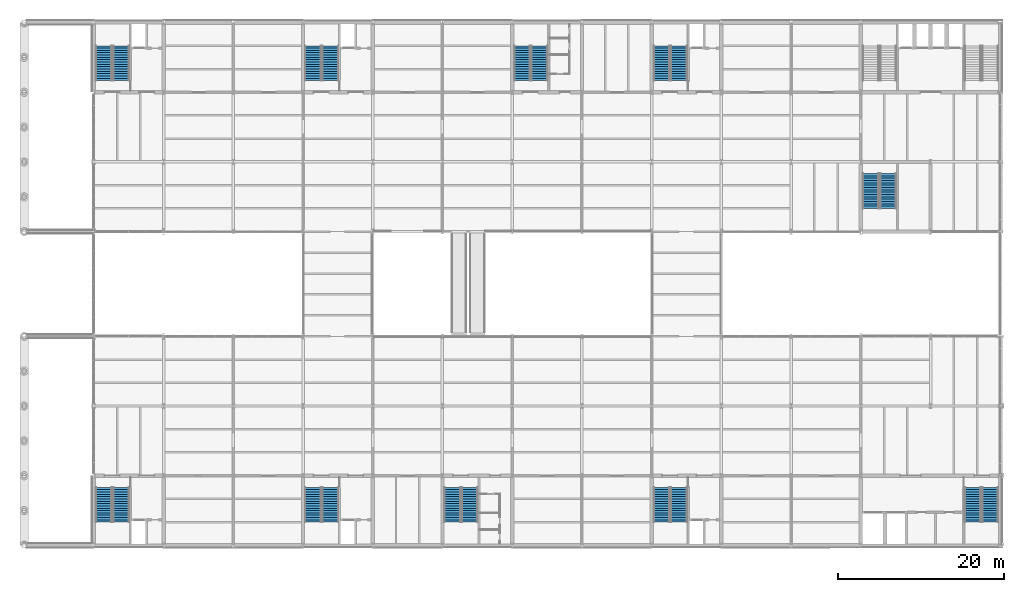
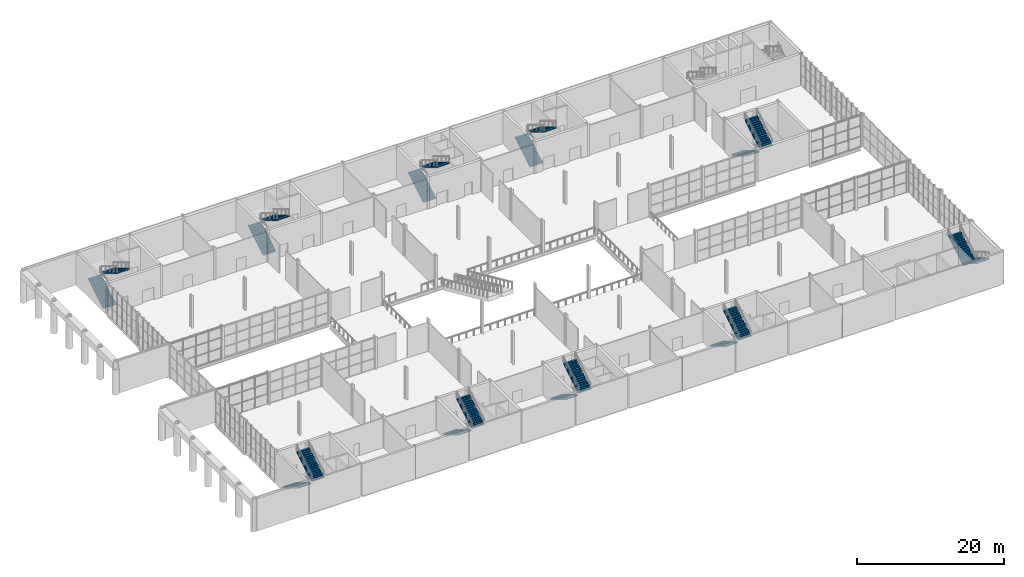
# One storey, part 45 of 64: 20 stair flights, 10 elements without a shape of their own.
"""IFC4 building model written with IfcOpenShell, lengths in metres."""

from ifc_helpers import new_model, si_unit, direction, frame, origin, place, context, subcontext, project, spatial, polyline, outline, extrude, material, type_object, element, aggregate, save


model = new_model("IFC4")

# Units and contexts
model_context = context("Model", 3, precision=1e-05, world=origin(), true_north=direction((0.0, 1.0)))
body_context = subcontext(model_context, "Body", "Model", "MODEL_VIEW")
ifc_project = project(units=[si_unit("LENGTHUNIT", "METRE"), si_unit("AREAUNIT", "SQUARE_METRE"), si_unit("VOLUMEUNIT", "CUBIC_METRE"), si_unit("PLANEANGLEUNIT", "RADIAN"), si_unit("MASSUNIT", "GRAM", prefix="KILO")], contexts=[model_context])

# Site, building, storey
site_placement = place(None, origin())
site = spatial("IfcSite", under=ifc_project, at=site_placement, CompositionType="ELEMENT")
building_placement = place(site_placement, origin())
building = spatial("IfcBuilding", under=site, at=building_placement, Name="Galleria Vessillo Department Store", CompositionType="ELEMENT")
storey_placement = place(building_placement, frame((0.0, 0.0, 6.0)))
storey = spatial("IfcBuildingStorey", under=building, at=storey_placement, Name="L01", CompositionType="ELEMENT", Elevation=6.0)

# Stair, stair flights
ifc_material_1 = material(Name="Concrete C32/40", Category="concrete")
stair_type = type_object("IfcStairType", Name="Half-turn escape stair 2000 mm, 32 risers of 169 mm", PredefinedType="HALF_TURN_STAIR", material=ifc_material_1)
stair_1_placement = place(storey_placement, origin())
stair_1 = element("IfcStair", 1, at=stair_1_placement, inside=storey, type_object=stair_type, Name="Stair ST1 L01", PredefinedType="HALF_TURN_STAIR")
ifc_material_2 = material(Name="Concrete C32/40", Category="concrete")
stair_flight_type = type_object("IfcStairFlightType", Name="Stair flight 2000 mm, 16 risers of 169 mm", PredefinedType="STRAIGHT", material=ifc_material_2)
stair_flight_1_placement = place(storey_placement, frame((9.60009765625, 7.00048828125, 0.0), z_axis=(0.0, 0.0, 1.0), x_axis=(0.0, -1.0, 0.0)))
stair_flight_1 = element("IfcStairFlight", 2, at=stair_flight_1_placement, type_object=stair_flight_type, Name="ST1 flight 1", NumberOfRisers=16, NumberOfTreads=15, PredefinedType="STRAIGHT", RiserHeight=0.16875, TreadLength=0.28, context=body_context, shape_type="SweptSolid", body=[
    extrude(outline(polyline([(0.0, 0.0), (0.0, 0.168701171875), (0.280029296875, 0.168701171875), (0.280029296875, 0.33740234375), (0.56005859375, 0.33740234375), (0.56005859375, 0.50634765625), (0.840087890625, 0.50634765625), (0.840087890625, 0.675048828125), (1.1201171875, 0.675048828125), (1.1201171875, 0.84375), (1.39990234375, 0.84375), (1.39990234375, 1.012451171875), (1.679931640625, 1.012451171875), (1.679931640625, 1.18115234375), (1.9599609375, 1.18115234375), (1.9599609375, 1.35009765625), (2.239990234375, 1.35009765625), (2.239990234375, 1.518798828125), (2.52001953125, 1.518798828125), (2.52001953125, 1.6875), (2.800048828125, 1.6875), (2.800048828125, 1.856201171875), (3.080078125, 1.856201171875), (3.080078125, 2.02490234375), (3.360107421875, 2.02490234375), (3.360107421875, 2.19384765625), (3.639892578125, 2.19384765625), (3.639892578125, 2.362548828125), (3.919921875, 2.362548828125), (3.919921875, 2.53125), (4.199951171875, 2.53125), (4.199951171875, 2.699951171875), (4.199951171875, 2.344482421875), (0.309814453125, 0.0), (0.0, 0.0)])), frame((0.0, 1.0, 0.0), z_axis=(0.0, -1.0, 0.0), x_axis=(1.0, 0.0, 0.0)), (0.0, 0.0, 1.0), 2.0),
])
stair_flight_2_placement = place(storey_placement, frame((11.699951171875, 2.800537109375, 2.699951171875), z_axis=(0.0, 0.0, 1.0), x_axis=(0.0, 1.0, 0.0)))
stair_flight_2 = element("IfcStairFlight", 3, at=stair_flight_2_placement, type_object=stair_flight_type, Name="ST1 flight 2", NumberOfRisers=16, NumberOfTreads=15, PredefinedType="STRAIGHT", RiserHeight=0.16875, TreadLength=0.28, context=body_context, shape_type="SweptSolid", body=[
    extrude(outline(polyline([(0.0, 0.0), (0.0, 0.168701171875), (0.280029296875, 0.168701171875), (0.280029296875, 0.33740234375), (0.56005859375, 0.33740234375), (0.56005859375, 0.50634765625), (0.840087890625, 0.50634765625), (0.840087890625, 0.675048828125), (1.1201171875, 0.675048828125), (1.1201171875, 0.84375), (1.39990234375, 0.84375), (1.39990234375, 1.012451171875), (1.679931640625, 1.012451171875), (1.679931640625, 1.18115234375), (1.9599609375, 1.18115234375), (1.9599609375, 1.35009765625), (2.239990234375, 1.35009765625), (2.239990234375, 1.518798828125), (2.52001953125, 1.518798828125), (2.52001953125, 1.6875), (2.800048828125, 1.6875), (2.800048828125, 1.856201171875), (3.080078125, 1.856201171875), (3.080078125, 2.02490234375), (3.360107421875, 2.02490234375), (3.360107421875, 2.19384765625), (3.639892578125, 2.19384765625), (3.639892578125, 2.362548828125), (3.919921875, 2.362548828125), (3.919921875, 2.53125), (4.199951171875, 2.53125), (4.199951171875, 2.699951171875), (4.199951171875, 2.344482421875), (0.309814453125, 0.0), (0.0, 0.0)])), frame((0.0, 1.0, 0.0), z_axis=(0.0, -1.0, 0.0), x_axis=(1.0, 0.0, 0.0)), (0.0, 0.0, 1.0), 2.0),
])
aggregate(stair_1, [stair_flight_1, stair_flight_2])

stair_2_placement = place(storey_placement, origin())
stair_2 = element("IfcStair", 4, at=stair_2_placement, inside=storey, type_object=stair_type, Name="Stair ST2 L01", PredefinedType="HALF_TURN_STAIR")
stair_flight_3_placement = place(storey_placement, frame((9.60009765625, 55.99951171875, 0.0), z_axis=(0.0, 0.0, 1.0), x_axis=(0.0, 1.0, 0.0)))
stair_flight_3 = element("IfcStairFlight", 5, at=stair_flight_3_placement, type_object=stair_flight_type, Name="ST2 flight 1", NumberOfRisers=16, NumberOfTreads=15, PredefinedType="STRAIGHT", RiserHeight=0.16875, TreadLength=0.28, context=body_context, shape_type="SweptSolid", body=[
    extrude(outline(polyline([(0.0, 0.0), (0.0, 0.168701171875), (0.280029296875, 0.168701171875), (0.280029296875, 0.33740234375), (0.56005859375, 0.33740234375), (0.56005859375, 0.50634765625), (0.840087890625, 0.50634765625), (0.840087890625, 0.675048828125), (1.1201171875, 0.675048828125), (1.1201171875, 0.84375), (1.39990234375, 0.84375), (1.39990234375, 1.012451171875), (1.679931640625, 1.012451171875), (1.679931640625, 1.18115234375), (1.9599609375, 1.18115234375), (1.9599609375, 1.35009765625), (2.239990234375, 1.35009765625), (2.239990234375, 1.518798828125), (2.52001953125, 1.518798828125), (2.52001953125, 1.6875), (2.800048828125, 1.6875), (2.800048828125, 1.856201171875), (3.080078125, 1.856201171875), (3.080078125, 2.02490234375), (3.360107421875, 2.02490234375), (3.360107421875, 2.19384765625), (3.639892578125, 2.19384765625), (3.639892578125, 2.362548828125), (3.919921875, 2.362548828125), (3.919921875, 2.53125), (4.199951171875, 2.53125), (4.199951171875, 2.699951171875), (4.199951171875, 2.344482421875), (0.309814453125, 0.0), (0.0, 0.0)])), frame((0.0, 1.0, 0.0), z_axis=(0.0, -1.0, 0.0), x_axis=(1.0, 0.0, 0.0)), (0.0, 0.0, 1.0), 2.0),
])
stair_flight_4_placement = place(storey_placement, frame((11.699951171875, 60.199462890625, 2.699951171875), z_axis=(0.0, 0.0, 1.0), x_axis=(0.0, -1.0, 0.0)))
stair_flight_4 = element("IfcStairFlight", 6, at=stair_flight_4_placement, type_object=stair_flight_type, Name="ST2 flight 2", NumberOfRisers=16, NumberOfTreads=15, PredefinedType="STRAIGHT", RiserHeight=0.16875, TreadLength=0.28, context=body_context, shape_type="SweptSolid", body=[
    extrude(outline(polyline([(0.0, 0.0), (0.0, 0.168701171875), (0.280029296875, 0.168701171875), (0.280029296875, 0.33740234375), (0.56005859375, 0.33740234375), (0.56005859375, 0.50634765625), (0.840087890625, 0.50634765625), (0.840087890625, 0.675048828125), (1.1201171875, 0.675048828125), (1.1201171875, 0.84375), (1.39990234375, 0.84375), (1.39990234375, 1.012451171875), (1.679931640625, 1.012451171875), (1.679931640625, 1.18115234375), (1.9599609375, 1.18115234375), (1.9599609375, 1.35009765625), (2.239990234375, 1.35009765625), (2.239990234375, 1.518798828125), (2.52001953125, 1.518798828125), (2.52001953125, 1.6875), (2.800048828125, 1.6875), (2.800048828125, 1.856201171875), (3.080078125, 1.856201171875), (3.080078125, 2.02490234375), (3.360107421875, 2.02490234375), (3.360107421875, 2.19384765625), (3.639892578125, 2.19384765625), (3.639892578125, 2.362548828125), (3.919921875, 2.362548828125), (3.919921875, 2.53125), (4.199951171875, 2.53125), (4.199951171875, 2.699951171875), (4.199951171875, 2.344482421875), (0.309814453125, 0.0), (0.0, 0.0)])), frame((0.0, 1.0, 0.0), z_axis=(0.0, -1.0, 0.0), x_axis=(1.0, 0.0, 0.0)), (0.0, 0.0, 1.0), 2.0),
])
aggregate(stair_2, [stair_flight_3, stair_flight_4])

stair_3_placement = place(storey_placement, origin())
stair_3 = element("IfcStair", 7, at=stair_3_placement, inside=storey, type_object=stair_type, Name="Stair ST3 L01", PredefinedType="HALF_TURN_STAIR")
stair_flight_5_placement = place(storey_placement, frame((34.800048828125, 7.00048828125, 0.0), z_axis=(0.0, 0.0, 1.0), x_axis=(0.0, -1.0, 0.0)))
stair_flight_5 = element("IfcStairFlight", 8, at=stair_flight_5_placement, type_object=stair_flight_type, Name="ST3 flight 1", NumberOfRisers=16, NumberOfTreads=15, PredefinedType="STRAIGHT", RiserHeight=0.16875, TreadLength=0.28, context=body_context, shape_type="SweptSolid", body=[
    extrude(outline(polyline([(0.0, 0.0), (0.0, 0.168701171875), (0.280029296875, 0.168701171875), (0.280029296875, 0.33740234375), (0.56005859375, 0.33740234375), (0.56005859375, 0.50634765625), (0.840087890625, 0.50634765625), (0.840087890625, 0.675048828125), (1.1201171875, 0.675048828125), (1.1201171875, 0.84375), (1.39990234375, 0.84375), (1.39990234375, 1.012451171875), (1.679931640625, 1.012451171875), (1.679931640625, 1.18115234375), (1.9599609375, 1.18115234375), (1.9599609375, 1.35009765625), (2.239990234375, 1.35009765625), (2.239990234375, 1.518798828125), (2.52001953125, 1.518798828125), (2.52001953125, 1.6875), (2.800048828125, 1.6875), (2.800048828125, 1.856201171875), (3.080078125, 1.856201171875), (3.080078125, 2.02490234375), (3.360107421875, 2.02490234375), (3.360107421875, 2.19384765625), (3.639892578125, 2.19384765625), (3.639892578125, 2.362548828125), (3.919921875, 2.362548828125), (3.919921875, 2.53125), (4.199951171875, 2.53125), (4.199951171875, 2.699951171875), (4.199951171875, 2.344482421875), (0.309814453125, 0.0), (0.0, 0.0)])), frame((0.0, 1.0, 0.0), z_axis=(0.0, -1.0, 0.0), x_axis=(1.0, 0.0, 0.0)), (0.0, 0.0, 1.0), 2.0),
])
stair_flight_6_placement = place(storey_placement, frame((36.89990234375, 2.800537109375, 2.699951171875), z_axis=(0.0, 0.0, 1.0), x_axis=(0.0, 1.0, 0.0)))
stair_flight_6 = element("IfcStairFlight", 9, at=stair_flight_6_placement, type_object=stair_flight_type, Name="ST3 flight 2", NumberOfRisers=16, NumberOfTreads=15, PredefinedType="STRAIGHT", RiserHeight=0.16875, TreadLength=0.28, context=body_context, shape_type="SweptSolid", body=[
    extrude(outline(polyline([(0.0, 0.0), (0.0, 0.168701171875), (0.280029296875, 0.168701171875), (0.280029296875, 0.33740234375), (0.56005859375, 0.33740234375), (0.56005859375, 0.50634765625), (0.840087890625, 0.50634765625), (0.840087890625, 0.675048828125), (1.1201171875, 0.675048828125), (1.1201171875, 0.84375), (1.39990234375, 0.84375), (1.39990234375, 1.012451171875), (1.679931640625, 1.012451171875), (1.679931640625, 1.18115234375), (1.9599609375, 1.18115234375), (1.9599609375, 1.35009765625), (2.239990234375, 1.35009765625), (2.239990234375, 1.518798828125), (2.52001953125, 1.518798828125), (2.52001953125, 1.6875), (2.800048828125, 1.6875), (2.800048828125, 1.856201171875), (3.080078125, 1.856201171875), (3.080078125, 2.02490234375), (3.360107421875, 2.02490234375), (3.360107421875, 2.19384765625), (3.639892578125, 2.19384765625), (3.639892578125, 2.362548828125), (3.919921875, 2.362548828125), (3.919921875, 2.53125), (4.199951171875, 2.53125), (4.199951171875, 2.699951171875), (4.199951171875, 2.344482421875), (0.309814453125, 0.0), (0.0, 0.0)])), frame((0.0, 1.0, 0.0), z_axis=(0.0, -1.0, 0.0), x_axis=(1.0, 0.0, 0.0)), (0.0, 0.0, 1.0), 2.0),
])
aggregate(stair_3, [stair_flight_5, stair_flight_6])

stair_4_placement = place(storey_placement, origin())
stair_4 = element("IfcStair", 10, at=stair_4_placement, inside=storey, type_object=stair_type, Name="Stair ST4 L01", PredefinedType="HALF_TURN_STAIR")
stair_flight_7_placement = place(storey_placement, frame((34.800048828125, 55.99951171875, 0.0), z_axis=(0.0, 0.0, 1.0), x_axis=(0.0, 1.0, 0.0)))
stair_flight_7 = element("IfcStairFlight", 11, at=stair_flight_7_placement, type_object=stair_flight_type, Name="ST4 flight 1", NumberOfRisers=16, NumberOfTreads=15, PredefinedType="STRAIGHT", RiserHeight=0.16875, TreadLength=0.28, context=body_context, shape_type="SweptSolid", body=[
    extrude(outline(polyline([(0.0, 0.0), (0.0, 0.168701171875), (0.280029296875, 0.168701171875), (0.280029296875, 0.33740234375), (0.56005859375, 0.33740234375), (0.56005859375, 0.50634765625), (0.840087890625, 0.50634765625), (0.840087890625, 0.675048828125), (1.1201171875, 0.675048828125), (1.1201171875, 0.84375), (1.39990234375, 0.84375), (1.39990234375, 1.012451171875), (1.679931640625, 1.012451171875), (1.679931640625, 1.18115234375), (1.9599609375, 1.18115234375), (1.9599609375, 1.35009765625), (2.239990234375, 1.35009765625), (2.239990234375, 1.518798828125), (2.52001953125, 1.518798828125), (2.52001953125, 1.6875), (2.800048828125, 1.6875), (2.800048828125, 1.856201171875), (3.080078125, 1.856201171875), (3.080078125, 2.02490234375), (3.360107421875, 2.02490234375), (3.360107421875, 2.19384765625), (3.639892578125, 2.19384765625), (3.639892578125, 2.362548828125), (3.919921875, 2.362548828125), (3.919921875, 2.53125), (4.199951171875, 2.53125), (4.199951171875, 2.699951171875), (4.199951171875, 2.344482421875), (0.309814453125, 0.0), (0.0, 0.0)])), frame((0.0, 1.0, 0.0), z_axis=(0.0, -1.0, 0.0), x_axis=(1.0, 0.0, 0.0)), (0.0, 0.0, 1.0), 2.0),
])
stair_flight_8_placement = place(storey_placement, frame((36.89990234375, 60.199462890625, 2.699951171875), z_axis=(0.0, 0.0, 1.0), x_axis=(0.0, -1.0, 0.0)))
stair_flight_8 = element("IfcStairFlight", 12, at=stair_flight_8_placement, type_object=stair_flight_type, Name="ST4 flight 2", NumberOfRisers=16, NumberOfTreads=15, PredefinedType="STRAIGHT", RiserHeight=0.16875, TreadLength=0.28, context=body_context, shape_type="SweptSolid", body=[
    extrude(outline(polyline([(0.0, 0.0), (0.0, 0.168701171875), (0.280029296875, 0.168701171875), (0.280029296875, 0.33740234375), (0.56005859375, 0.33740234375), (0.56005859375, 0.50634765625), (0.840087890625, 0.50634765625), (0.840087890625, 0.675048828125), (1.1201171875, 0.675048828125), (1.1201171875, 0.84375), (1.39990234375, 0.84375), (1.39990234375, 1.012451171875), (1.679931640625, 1.012451171875), (1.679931640625, 1.18115234375), (1.9599609375, 1.18115234375), (1.9599609375, 1.35009765625), (2.239990234375, 1.35009765625), (2.239990234375, 1.518798828125), (2.52001953125, 1.518798828125), (2.52001953125, 1.6875), (2.800048828125, 1.6875), (2.800048828125, 1.856201171875), (3.080078125, 1.856201171875), (3.080078125, 2.02490234375), (3.360107421875, 2.02490234375), (3.360107421875, 2.19384765625), (3.639892578125, 2.19384765625), (3.639892578125, 2.362548828125), (3.919921875, 2.362548828125), (3.919921875, 2.53125), (4.199951171875, 2.53125), (4.199951171875, 2.699951171875), (4.199951171875, 2.344482421875), (0.309814453125, 0.0), (0.0, 0.0)])), frame((0.0, 1.0, 0.0), z_axis=(0.0, -1.0, 0.0), x_axis=(1.0, 0.0, 0.0)), (0.0, 0.0, 1.0), 2.0),
])
aggregate(stair_4, [stair_flight_7, stair_flight_8])

stair_5_placement = place(storey_placement, origin())
stair_5 = element("IfcStair", 13, at=stair_5_placement, inside=storey, type_object=stair_type, Name="Stair ST5 L01", PredefinedType="HALF_TURN_STAIR")
stair_flight_9_placement = place(storey_placement, frame((76.800048828125, 7.00048828125, 0.0), z_axis=(0.0, 0.0, 1.0), x_axis=(0.0, -1.0, 0.0)))
stair_flight_9 = element("IfcStairFlight", 14, at=stair_flight_9_placement, type_object=stair_flight_type, Name="ST5 flight 1", NumberOfRisers=16, NumberOfTreads=15, PredefinedType="STRAIGHT", RiserHeight=0.16875, TreadLength=0.28, context=body_context, shape_type="SweptSolid", body=[
    extrude(outline(polyline([(0.0, 0.0), (0.0, 0.168701171875), (0.280029296875, 0.168701171875), (0.280029296875, 0.33740234375), (0.56005859375, 0.33740234375), (0.56005859375, 0.50634765625), (0.840087890625, 0.50634765625), (0.840087890625, 0.675048828125), (1.1201171875, 0.675048828125), (1.1201171875, 0.84375), (1.39990234375, 0.84375), (1.39990234375, 1.012451171875), (1.679931640625, 1.012451171875), (1.679931640625, 1.18115234375), (1.9599609375, 1.18115234375), (1.9599609375, 1.35009765625), (2.239990234375, 1.35009765625), (2.239990234375, 1.518798828125), (2.52001953125, 1.518798828125), (2.52001953125, 1.6875), (2.800048828125, 1.6875), (2.800048828125, 1.856201171875), (3.080078125, 1.856201171875), (3.080078125, 2.02490234375), (3.360107421875, 2.02490234375), (3.360107421875, 2.19384765625), (3.639892578125, 2.19384765625), (3.639892578125, 2.362548828125), (3.919921875, 2.362548828125), (3.919921875, 2.53125), (4.199951171875, 2.53125), (4.199951171875, 2.699951171875), (4.199951171875, 2.344482421875), (0.309814453125, 0.0), (0.0, 0.0)])), frame((0.0, 1.0, 0.0), z_axis=(0.0, -1.0, 0.0), x_axis=(1.0, 0.0, 0.0)), (0.0, 0.0, 1.0), 2.0),
])
stair_flight_10_placement = place(storey_placement, frame((78.89990234375, 2.800537109375, 2.699951171875), z_axis=(0.0, 0.0, 1.0), x_axis=(0.0, 1.0, 0.0)))
stair_flight_10 = element("IfcStairFlight", 15, at=stair_flight_10_placement, type_object=stair_flight_type, Name="ST5 flight 2", NumberOfRisers=16, NumberOfTreads=15, PredefinedType="STRAIGHT", RiserHeight=0.16875, TreadLength=0.28, context=body_context, shape_type="SweptSolid", body=[
    extrude(outline(polyline([(0.0, 0.0), (0.0, 0.168701171875), (0.280029296875, 0.168701171875), (0.280029296875, 0.33740234375), (0.56005859375, 0.33740234375), (0.56005859375, 0.50634765625), (0.840087890625, 0.50634765625), (0.840087890625, 0.675048828125), (1.1201171875, 0.675048828125), (1.1201171875, 0.84375), (1.39990234375, 0.84375), (1.39990234375, 1.012451171875), (1.679931640625, 1.012451171875), (1.679931640625, 1.18115234375), (1.9599609375, 1.18115234375), (1.9599609375, 1.35009765625), (2.239990234375, 1.35009765625), (2.239990234375, 1.518798828125), (2.52001953125, 1.518798828125), (2.52001953125, 1.6875), (2.800048828125, 1.6875), (2.800048828125, 1.856201171875), (3.080078125, 1.856201171875), (3.080078125, 2.02490234375), (3.360107421875, 2.02490234375), (3.360107421875, 2.19384765625), (3.639892578125, 2.19384765625), (3.639892578125, 2.362548828125), (3.919921875, 2.362548828125), (3.919921875, 2.53125), (4.199951171875, 2.53125), (4.199951171875, 2.699951171875), (4.199951171875, 2.344482421875), (0.309814453125, 0.0), (0.0, 0.0)])), frame((0.0, 1.0, 0.0), z_axis=(0.0, -1.0, 0.0), x_axis=(1.0, 0.0, 0.0)), (0.0, 0.0, 1.0), 2.0),
])
aggregate(stair_5, [stair_flight_9, stair_flight_10])

stair_6_placement = place(storey_placement, origin())
stair_6 = element("IfcStair", 16, at=stair_6_placement, inside=storey, type_object=stair_type, Name="Stair ST6 L01", PredefinedType="HALF_TURN_STAIR")
stair_flight_11_placement = place(storey_placement, frame((76.800048828125, 55.99951171875, 0.0), z_axis=(0.0, 0.0, 1.0), x_axis=(0.0, 1.0, 0.0)))
stair_flight_11 = element("IfcStairFlight", 17, at=stair_flight_11_placement, type_object=stair_flight_type, Name="ST6 flight 1", NumberOfRisers=16, NumberOfTreads=15, PredefinedType="STRAIGHT", RiserHeight=0.16875, TreadLength=0.28, context=body_context, shape_type="SweptSolid", body=[
    extrude(outline(polyline([(0.0, 0.0), (0.0, 0.168701171875), (0.280029296875, 0.168701171875), (0.280029296875, 0.33740234375), (0.56005859375, 0.33740234375), (0.56005859375, 0.50634765625), (0.840087890625, 0.50634765625), (0.840087890625, 0.675048828125), (1.1201171875, 0.675048828125), (1.1201171875, 0.84375), (1.39990234375, 0.84375), (1.39990234375, 1.012451171875), (1.679931640625, 1.012451171875), (1.679931640625, 1.18115234375), (1.9599609375, 1.18115234375), (1.9599609375, 1.35009765625), (2.239990234375, 1.35009765625), (2.239990234375, 1.518798828125), (2.52001953125, 1.518798828125), (2.52001953125, 1.6875), (2.800048828125, 1.6875), (2.800048828125, 1.856201171875), (3.080078125, 1.856201171875), (3.080078125, 2.02490234375), (3.360107421875, 2.02490234375), (3.360107421875, 2.19384765625), (3.639892578125, 2.19384765625), (3.639892578125, 2.362548828125), (3.919921875, 2.362548828125), (3.919921875, 2.53125), (4.199951171875, 2.53125), (4.199951171875, 2.699951171875), (4.199951171875, 2.344482421875), (0.309814453125, 0.0), (0.0, 0.0)])), frame((0.0, 1.0, 0.0), z_axis=(0.0, -1.0, 0.0), x_axis=(1.0, 0.0, 0.0)), (0.0, 0.0, 1.0), 2.0),
])
stair_flight_12_placement = place(storey_placement, frame((78.89990234375, 60.199462890625, 2.699951171875), z_axis=(0.0, 0.0, 1.0), x_axis=(0.0, -1.0, 0.0)))
stair_flight_12 = element("IfcStairFlight", 18, at=stair_flight_12_placement, type_object=stair_flight_type, Name="ST6 flight 2", NumberOfRisers=16, NumberOfTreads=15, PredefinedType="STRAIGHT", RiserHeight=0.16875, TreadLength=0.28, context=body_context, shape_type="SweptSolid", body=[
    extrude(outline(polyline([(0.0, 0.0), (0.0, 0.168701171875), (0.280029296875, 0.168701171875), (0.280029296875, 0.33740234375), (0.56005859375, 0.33740234375), (0.56005859375, 0.50634765625), (0.840087890625, 0.50634765625), (0.840087890625, 0.675048828125), (1.1201171875, 0.675048828125), (1.1201171875, 0.84375), (1.39990234375, 0.84375), (1.39990234375, 1.012451171875), (1.679931640625, 1.012451171875), (1.679931640625, 1.18115234375), (1.9599609375, 1.18115234375), (1.9599609375, 1.35009765625), (2.239990234375, 1.35009765625), (2.239990234375, 1.518798828125), (2.52001953125, 1.518798828125), (2.52001953125, 1.6875), (2.800048828125, 1.6875), (2.800048828125, 1.856201171875), (3.080078125, 1.856201171875), (3.080078125, 2.02490234375), (3.360107421875, 2.02490234375), (3.360107421875, 2.19384765625), (3.639892578125, 2.19384765625), (3.639892578125, 2.362548828125), (3.919921875, 2.362548828125), (3.919921875, 2.53125), (4.199951171875, 2.53125), (4.199951171875, 2.699951171875), (4.199951171875, 2.344482421875), (0.309814453125, 0.0), (0.0, 0.0)])), frame((0.0, 1.0, 0.0), z_axis=(0.0, -1.0, 0.0), x_axis=(1.0, 0.0, 0.0)), (0.0, 0.0, 1.0), 2.0),
])
aggregate(stair_6, [stair_flight_11, stair_flight_12])

stair_7_placement = place(storey_placement, origin())
stair_7 = element("IfcStair", 19, at=stair_7_placement, inside=storey, type_object=stair_type, Name="Stair ST10 L01", PredefinedType="HALF_TURN_STAIR")
stair_flight_13_placement = place(storey_placement, frame((51.60009765625, 7.00048828125, 0.0), z_axis=(0.0, 0.0, 1.0), x_axis=(0.0, -1.0, 0.0)))
stair_flight_13 = element("IfcStairFlight", 20, at=stair_flight_13_placement, type_object=stair_flight_type, Name="ST10 flight 1", NumberOfRisers=16, NumberOfTreads=15, PredefinedType="STRAIGHT", RiserHeight=0.16875, TreadLength=0.28, context=body_context, shape_type="SweptSolid", body=[
    extrude(outline(polyline([(0.0, 0.0), (0.0, 0.168701171875), (0.280029296875, 0.168701171875), (0.280029296875, 0.33740234375), (0.56005859375, 0.33740234375), (0.56005859375, 0.50634765625), (0.840087890625, 0.50634765625), (0.840087890625, 0.675048828125), (1.1201171875, 0.675048828125), (1.1201171875, 0.84375), (1.39990234375, 0.84375), (1.39990234375, 1.012451171875), (1.679931640625, 1.012451171875), (1.679931640625, 1.18115234375), (1.9599609375, 1.18115234375), (1.9599609375, 1.35009765625), (2.239990234375, 1.35009765625), (2.239990234375, 1.518798828125), (2.52001953125, 1.518798828125), (2.52001953125, 1.6875), (2.800048828125, 1.6875), (2.800048828125, 1.856201171875), (3.080078125, 1.856201171875), (3.080078125, 2.02490234375), (3.360107421875, 2.02490234375), (3.360107421875, 2.19384765625), (3.639892578125, 2.19384765625), (3.639892578125, 2.362548828125), (3.919921875, 2.362548828125), (3.919921875, 2.53125), (4.199951171875, 2.53125), (4.199951171875, 2.699951171875), (4.199951171875, 2.344482421875), (0.309814453125, 0.0), (0.0, 0.0)])), frame((0.0, 1.0, 0.0), z_axis=(0.0, -1.0, 0.0), x_axis=(1.0, 0.0, 0.0)), (0.0, 0.0, 1.0), 2.0),
])
stair_flight_14_placement = place(storey_placement, frame((53.699951171875, 2.800537109375, 2.699951171875), z_axis=(0.0, 0.0, 1.0), x_axis=(0.0, 1.0, 0.0)))
stair_flight_14 = element("IfcStairFlight", 21, at=stair_flight_14_placement, type_object=stair_flight_type, Name="ST10 flight 2", NumberOfRisers=16, NumberOfTreads=15, PredefinedType="STRAIGHT", RiserHeight=0.16875, TreadLength=0.28, context=body_context, shape_type="SweptSolid", body=[
    extrude(outline(polyline([(0.0, 0.0), (0.0, 0.168701171875), (0.280029296875, 0.168701171875), (0.280029296875, 0.33740234375), (0.56005859375, 0.33740234375), (0.56005859375, 0.50634765625), (0.840087890625, 0.50634765625), (0.840087890625, 0.675048828125), (1.1201171875, 0.675048828125), (1.1201171875, 0.84375), (1.39990234375, 0.84375), (1.39990234375, 1.012451171875), (1.679931640625, 1.012451171875), (1.679931640625, 1.18115234375), (1.9599609375, 1.18115234375), (1.9599609375, 1.35009765625), (2.239990234375, 1.35009765625), (2.239990234375, 1.518798828125), (2.52001953125, 1.518798828125), (2.52001953125, 1.6875), (2.800048828125, 1.6875), (2.800048828125, 1.856201171875), (3.080078125, 1.856201171875), (3.080078125, 2.02490234375), (3.360107421875, 2.02490234375), (3.360107421875, 2.19384765625), (3.639892578125, 2.19384765625), (3.639892578125, 2.362548828125), (3.919921875, 2.362548828125), (3.919921875, 2.53125), (4.199951171875, 2.53125), (4.199951171875, 2.699951171875), (4.199951171875, 2.344482421875), (0.309814453125, 0.0), (0.0, 0.0)])), frame((0.0, 1.0, 0.0), z_axis=(0.0, -1.0, 0.0), x_axis=(1.0, 0.0, 0.0)), (0.0, 0.0, 1.0), 2.0),
])
aggregate(stair_7, [stair_flight_13, stair_flight_14])

stair_8_placement = place(storey_placement, origin())
stair_8 = element("IfcStair", 22, at=stair_8_placement, inside=storey, type_object=stair_type, Name="Stair ST11 L01", PredefinedType="HALF_TURN_STAIR")
stair_flight_15_placement = place(storey_placement, frame((60.0, 55.99951171875, 0.0), z_axis=(0.0, 0.0, 1.0), x_axis=(0.0, 1.0, 0.0)))
stair_flight_15 = element("IfcStairFlight", 23, at=stair_flight_15_placement, type_object=stair_flight_type, Name="ST11 flight 1", NumberOfRisers=16, NumberOfTreads=15, PredefinedType="STRAIGHT", RiserHeight=0.16875, TreadLength=0.28, context=body_context, shape_type="SweptSolid", body=[
    extrude(outline(polyline([(0.0, 0.0), (0.0, 0.168701171875), (0.280029296875, 0.168701171875), (0.280029296875, 0.33740234375), (0.56005859375, 0.33740234375), (0.56005859375, 0.50634765625), (0.840087890625, 0.50634765625), (0.840087890625, 0.675048828125), (1.1201171875, 0.675048828125), (1.1201171875, 0.84375), (1.39990234375, 0.84375), (1.39990234375, 1.012451171875), (1.679931640625, 1.012451171875), (1.679931640625, 1.18115234375), (1.9599609375, 1.18115234375), (1.9599609375, 1.35009765625), (2.239990234375, 1.35009765625), (2.239990234375, 1.518798828125), (2.52001953125, 1.518798828125), (2.52001953125, 1.6875), (2.800048828125, 1.6875), (2.800048828125, 1.856201171875), (3.080078125, 1.856201171875), (3.080078125, 2.02490234375), (3.360107421875, 2.02490234375), (3.360107421875, 2.19384765625), (3.639892578125, 2.19384765625), (3.639892578125, 2.362548828125), (3.919921875, 2.362548828125), (3.919921875, 2.53125), (4.199951171875, 2.53125), (4.199951171875, 2.699951171875), (4.199951171875, 2.344482421875), (0.309814453125, 0.0), (0.0, 0.0)])), frame((0.0, 1.0, 0.0), z_axis=(0.0, -1.0, 0.0), x_axis=(1.0, 0.0, 0.0)), (0.0, 0.0, 1.0), 2.0),
])
stair_flight_16_placement = place(storey_placement, frame((62.10009765625, 60.199462890625, 2.699951171875), z_axis=(0.0, 0.0, 1.0), x_axis=(0.0, -1.0, 0.0)))
stair_flight_16 = element("IfcStairFlight", 24, at=stair_flight_16_placement, type_object=stair_flight_type, Name="ST11 flight 2", NumberOfRisers=16, NumberOfTreads=15, PredefinedType="STRAIGHT", RiserHeight=0.16875, TreadLength=0.28, context=body_context, shape_type="SweptSolid", body=[
    extrude(outline(polyline([(0.0, 0.0), (0.0, 0.168701171875), (0.280029296875, 0.168701171875), (0.280029296875, 0.33740234375), (0.56005859375, 0.33740234375), (0.56005859375, 0.50634765625), (0.840087890625, 0.50634765625), (0.840087890625, 0.675048828125), (1.1201171875, 0.675048828125), (1.1201171875, 0.84375), (1.39990234375, 0.84375), (1.39990234375, 1.012451171875), (1.679931640625, 1.012451171875), (1.679931640625, 1.18115234375), (1.9599609375, 1.18115234375), (1.9599609375, 1.35009765625), (2.239990234375, 1.35009765625), (2.239990234375, 1.518798828125), (2.52001953125, 1.518798828125), (2.52001953125, 1.6875), (2.800048828125, 1.6875), (2.800048828125, 1.856201171875), (3.080078125, 1.856201171875), (3.080078125, 2.02490234375), (3.360107421875, 2.02490234375), (3.360107421875, 2.19384765625), (3.639892578125, 2.19384765625), (3.639892578125, 2.362548828125), (3.919921875, 2.362548828125), (3.919921875, 2.53125), (4.199951171875, 2.53125), (4.199951171875, 2.699951171875), (4.199951171875, 2.344482421875), (0.309814453125, 0.0), (0.0, 0.0)])), frame((0.0, 1.0, 0.0), z_axis=(0.0, -1.0, 0.0), x_axis=(1.0, 0.0, 0.0)), (0.0, 0.0, 1.0), 2.0),
])
aggregate(stair_8, [stair_flight_15, stair_flight_16])

stair_9_placement = place(storey_placement, origin())
stair_9 = element("IfcStair", 25, at=stair_9_placement, inside=storey, type_object=stair_type, Name="Stair ST7 L01", PredefinedType="HALF_TURN_STAIR")
stair_flight_17_placement = place(storey_placement, frame((116.39990234375, 7.00048828125, 0.0), z_axis=(0.0, 0.0, 1.0), x_axis=(0.0, -1.0, 0.0)))
stair_flight_17 = element("IfcStairFlight", 26, at=stair_flight_17_placement, type_object=stair_flight_type, Name="ST7 flight 1", NumberOfRisers=16, NumberOfTreads=15, PredefinedType="STRAIGHT", RiserHeight=0.16875, TreadLength=0.28, context=body_context, shape_type="SweptSolid", body=[
    extrude(outline(polyline([(0.0, 0.0), (0.0, 0.168701171875), (0.280029296875, 0.168701171875), (0.280029296875, 0.33740234375), (0.56005859375, 0.33740234375), (0.56005859375, 0.50634765625), (0.840087890625, 0.50634765625), (0.840087890625, 0.675048828125), (1.1201171875, 0.675048828125), (1.1201171875, 0.84375), (1.39990234375, 0.84375), (1.39990234375, 1.012451171875), (1.679931640625, 1.012451171875), (1.679931640625, 1.18115234375), (1.9599609375, 1.18115234375), (1.9599609375, 1.35009765625), (2.239990234375, 1.35009765625), (2.239990234375, 1.518798828125), (2.52001953125, 1.518798828125), (2.52001953125, 1.6875), (2.800048828125, 1.6875), (2.800048828125, 1.856201171875), (3.080078125, 1.856201171875), (3.080078125, 2.02490234375), (3.360107421875, 2.02490234375), (3.360107421875, 2.19384765625), (3.639892578125, 2.19384765625), (3.639892578125, 2.362548828125), (3.919921875, 2.362548828125), (3.919921875, 2.53125), (4.199951171875, 2.53125), (4.199951171875, 2.699951171875), (4.199951171875, 2.344482421875), (0.309814453125, 0.0), (0.0, 0.0)])), frame((0.0, 1.0, 0.0), z_axis=(0.0, -1.0, 0.0), x_axis=(1.0, 0.0, 0.0)), (0.0, 0.0, 1.0), 2.0),
])
stair_flight_18_placement = place(storey_placement, frame((114.300048828125, 2.800537109375, 2.699951171875), z_axis=(0.0, 0.0, 1.0), x_axis=(0.0, 1.0, 0.0)))
stair_flight_18 = element("IfcStairFlight", 27, at=stair_flight_18_placement, type_object=stair_flight_type, Name="ST7 flight 2", NumberOfRisers=16, NumberOfTreads=15, PredefinedType="STRAIGHT", RiserHeight=0.16875, TreadLength=0.28, context=body_context, shape_type="SweptSolid", body=[
    extrude(outline(polyline([(0.0, 0.0), (0.0, 0.168701171875), (0.280029296875, 0.168701171875), (0.280029296875, 0.33740234375), (0.56005859375, 0.33740234375), (0.56005859375, 0.50634765625), (0.840087890625, 0.50634765625), (0.840087890625, 0.675048828125), (1.1201171875, 0.675048828125), (1.1201171875, 0.84375), (1.39990234375, 0.84375), (1.39990234375, 1.012451171875), (1.679931640625, 1.012451171875), (1.679931640625, 1.18115234375), (1.9599609375, 1.18115234375), (1.9599609375, 1.35009765625), (2.239990234375, 1.35009765625), (2.239990234375, 1.518798828125), (2.52001953125, 1.518798828125), (2.52001953125, 1.6875), (2.800048828125, 1.6875), (2.800048828125, 1.856201171875), (3.080078125, 1.856201171875), (3.080078125, 2.02490234375), (3.360107421875, 2.02490234375), (3.360107421875, 2.19384765625), (3.639892578125, 2.19384765625), (3.639892578125, 2.362548828125), (3.919921875, 2.362548828125), (3.919921875, 2.53125), (4.199951171875, 2.53125), (4.199951171875, 2.699951171875), (4.199951171875, 2.344482421875), (0.309814453125, 0.0), (0.0, 0.0)])), frame((0.0, 1.0, 0.0), z_axis=(0.0, -1.0, 0.0), x_axis=(1.0, 0.0, 0.0)), (0.0, 0.0, 1.0), 2.0),
])
aggregate(stair_9, [stair_flight_17, stair_flight_18])

stair_10_placement = place(storey_placement, origin())
stair_10 = element("IfcStair", 28, at=stair_10_placement, inside=storey, type_object=stair_type, Name="Stair ST12 L01", PredefinedType="HALF_TURN_STAIR")
stair_flight_19_placement = place(storey_placement, frame((102.0, 44.800537109375, 0.0), z_axis=(0.0, 0.0, 1.0), x_axis=(0.0, -1.0, 0.0)))
stair_flight_19 = element("IfcStairFlight", 29, at=stair_flight_19_placement, type_object=stair_flight_type, Name="ST12 flight 1", NumberOfRisers=16, NumberOfTreads=15, PredefinedType="STRAIGHT", RiserHeight=0.16875, TreadLength=0.28, context=body_context, shape_type="SweptSolid", body=[
    extrude(outline(polyline([(0.0, 0.0), (0.0, 0.168701171875), (0.280029296875, 0.168701171875), (0.280029296875, 0.33740234375), (0.56005859375, 0.33740234375), (0.56005859375, 0.50634765625), (0.840087890625, 0.50634765625), (0.840087890625, 0.675048828125), (1.1201171875, 0.675048828125), (1.1201171875, 0.84375), (1.39990234375, 0.84375), (1.39990234375, 1.012451171875), (1.679931640625, 1.012451171875), (1.679931640625, 1.18115234375), (1.9599609375, 1.18115234375), (1.9599609375, 1.35009765625), (2.239990234375, 1.35009765625), (2.239990234375, 1.518798828125), (2.52001953125, 1.518798828125), (2.52001953125, 1.6875), (2.800048828125, 1.6875), (2.800048828125, 1.856201171875), (3.080078125, 1.856201171875), (3.080078125, 2.02490234375), (3.360107421875, 2.02490234375), (3.360107421875, 2.19384765625), (3.639892578125, 2.19384765625), (3.639892578125, 2.362548828125), (3.919921875, 2.362548828125), (3.919921875, 2.53125), (4.199951171875, 2.53125), (4.199951171875, 2.699951171875), (4.199951171875, 2.344482421875), (0.309814453125, 0.0), (0.0, 0.0)])), frame((0.0, 1.0, 0.0), z_axis=(0.0, -1.0, 0.0), x_axis=(1.0, 0.0, 0.0)), (0.0, 0.0, 1.0), 2.0),
])
stair_flight_20_placement = place(storey_placement, frame((104.10009765625, 40.6005859375, 2.699951171875), z_axis=(0.0, 0.0, 1.0), x_axis=(0.0, 1.0, 0.0)))
stair_flight_20 = element("IfcStairFlight", 30, at=stair_flight_20_placement, type_object=stair_flight_type, Name="ST12 flight 2", NumberOfRisers=16, NumberOfTreads=15, PredefinedType="STRAIGHT", RiserHeight=0.16875, TreadLength=0.28, context=body_context, shape_type="SweptSolid", body=[
    extrude(outline(polyline([(0.0, 0.0), (0.0, 0.168701171875), (0.280029296875, 0.168701171875), (0.280029296875, 0.33740234375), (0.56005859375, 0.33740234375), (0.56005859375, 0.50634765625), (0.840087890625, 0.50634765625), (0.840087890625, 0.675048828125), (1.1201171875, 0.675048828125), (1.1201171875, 0.84375), (1.39990234375, 0.84375), (1.39990234375, 1.012451171875), (1.679931640625, 1.012451171875), (1.679931640625, 1.18115234375), (1.9599609375, 1.18115234375), (1.9599609375, 1.35009765625), (2.239990234375, 1.35009765625), (2.239990234375, 1.518798828125), (2.52001953125, 1.518798828125), (2.52001953125, 1.6875), (2.800048828125, 1.6875), (2.800048828125, 1.856201171875), (3.080078125, 1.856201171875), (3.080078125, 2.02490234375), (3.360107421875, 2.02490234375), (3.360107421875, 2.19384765625), (3.639892578125, 2.19384765625), (3.639892578125, 2.362548828125), (3.919921875, 2.362548828125), (3.919921875, 2.53125), (4.199951171875, 2.53125), (4.199951171875, 2.699951171875), (4.199951171875, 2.344482421875), (0.309814453125, 0.0), (0.0, 0.0)])), frame((0.0, 1.0, 0.0), z_axis=(0.0, -1.0, 0.0), x_axis=(1.0, 0.0, 0.0)), (0.0, 0.0, 1.0), 2.0),
])
aggregate(stair_10, [stair_flight_19, stair_flight_20])

save(model, "model.ifc")
